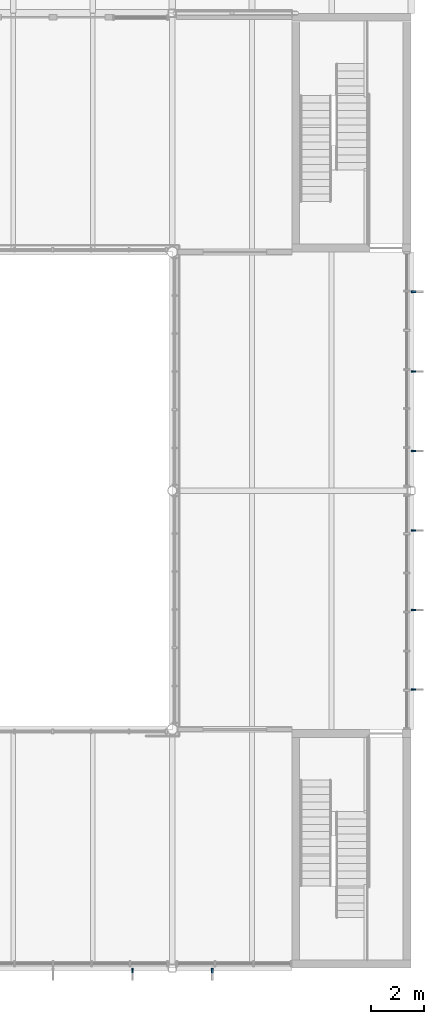
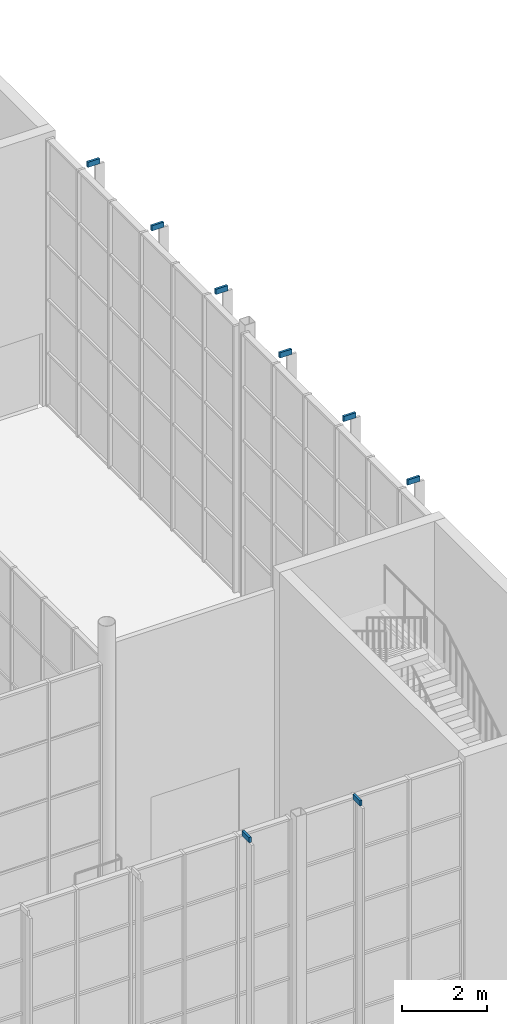
# One storey, part 83 of 90: 8 discrete accessories.
"""IFC4 building model written with IfcOpenShell, lengths in metres."""

from ifc_helpers import new_model, si_unit, direction, frame, origin, origin_2d, place, context, subcontext, project, spatial, rectangle, extrude, element, save


model = new_model("IFC4")

# Units and contexts
model_context = context("Model", 3, precision=1e-05, world=origin(), true_north=direction((0.0, 1.0)))
body_context = subcontext(model_context, "Body", "Model", "MODEL_VIEW")
ifc_project = project(units=[si_unit("LENGTHUNIT", "METRE"), si_unit("AREAUNIT", "SQUARE_METRE"), si_unit("VOLUMEUNIT", "CUBIC_METRE"), si_unit("PLANEANGLEUNIT", "RADIAN"), si_unit("MASSUNIT", "GRAM", prefix="KILO")], contexts=[model_context])

# Site, building, storey
site_placement = place(None, origin())
site = spatial("IfcSite", under=ifc_project, at=site_placement, CompositionType="ELEMENT")
building_placement = place(site_placement, origin())
building = spatial("IfcBuilding", under=site, at=building_placement, Name="Halyard Row Museum", CompositionType="ELEMENT")
storey_placement = place(building_placement, frame((0.0, 0.0, 13.39990234375)))
storey = spatial("IfcBuildingStorey", under=building, at=storey_placement, Name="L03", CompositionType="ELEMENT", Elevation=13.39990234375)

# Discrete accessories
for number, where, z_axis, x_axis, name in (
    (1, (97.5, -0.16259765625, 7.650146484375), (0.0, 0.0, 1.0), (1.0, 0.0, 0.0), "Fin bracket"),
    (2, (100.5, -0.16259765625, 7.650146484375), (0.0, 0.0, 1.0), (1.0, 0.0, 0.0), "Fin bracket"),
):
    element("IfcDiscreteAccessory", number, at=place(storey_placement, frame(where, z_axis=z_axis, x_axis=x_axis)), inside=storey, Name=name, PredefinedType="BRACKET", context=body_context, shape_type="SweptSolid", body=[
        extrude(rectangle(XDim=0.06005859375, YDim=0.324951171875, at=origin_2d()), origin(), (0.0, 0.0, 1.0), 0.14990234375),
    ])
for number, where, z_axis, x_axis, name in (
    (3, (108.16259765625, 10.5, 7.650146484375), (0.0, 0.0, 1.0), (1.0, 0.0, 0.0), "Fin bracket"),
    (4, (108.16259765625, 13.5, 7.650146484375), (0.0, 0.0, 1.0), (1.0, 0.0, 0.0), "Fin bracket"),
    (5, (108.16259765625, 16.5, 7.650146484375), (0.0, 0.0, 1.0), (1.0, 0.0, 0.0), "Fin bracket"),
    (6, (108.16259765625, 19.5, 7.650146484375), (0.0, 0.0, 1.0), (1.0, 0.0, 0.0), "Fin bracket"),
    (7, (108.16259765625, 22.5, 7.650146484375), (0.0, 0.0, 1.0), (1.0, 0.0, 0.0), "Fin bracket"),
    (8, (108.16259765625, 25.5, 7.650146484375), (0.0, 0.0, 1.0), (1.0, 0.0, 0.0), "Fin bracket"),
):
    element("IfcDiscreteAccessory", number, at=place(storey_placement, frame(where, z_axis=z_axis, x_axis=x_axis)), inside=storey, Name=name, PredefinedType="BRACKET", context=body_context, shape_type="SweptSolid", body=[
        extrude(rectangle(XDim=0.324951171875, YDim=0.06005859375, at=origin_2d()), origin(), (0.0, 0.0, 1.0), 0.14990234375),
    ])

save(model, "model.ifc")
